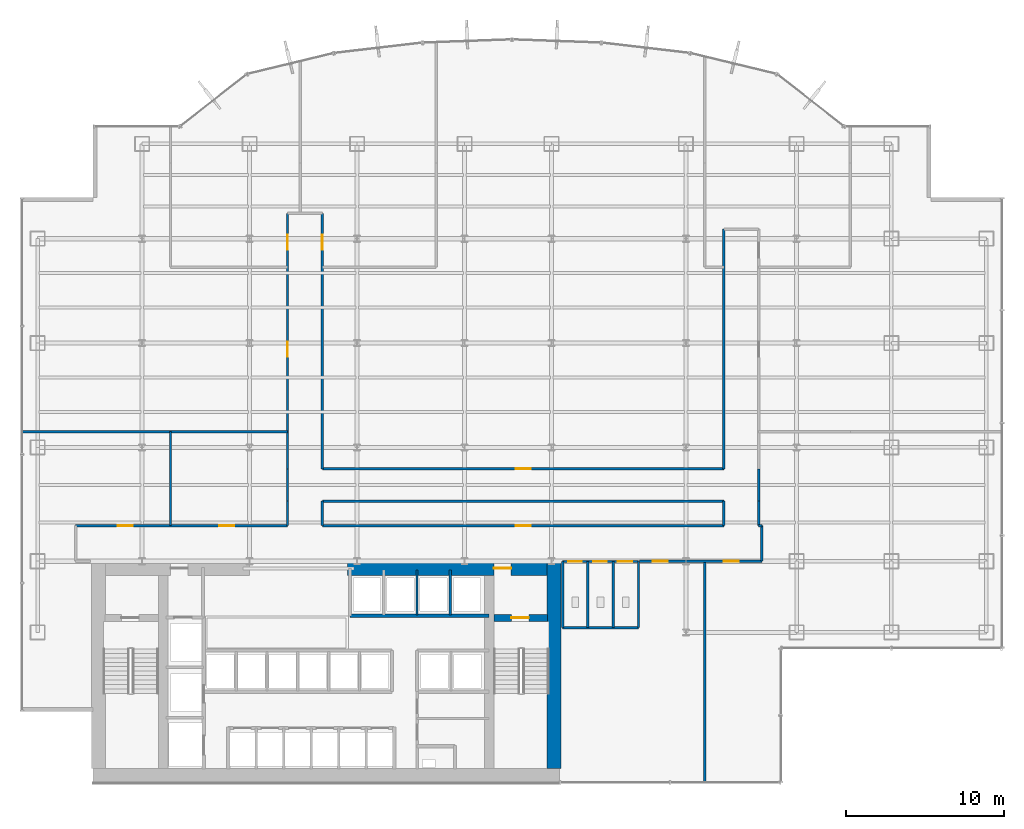
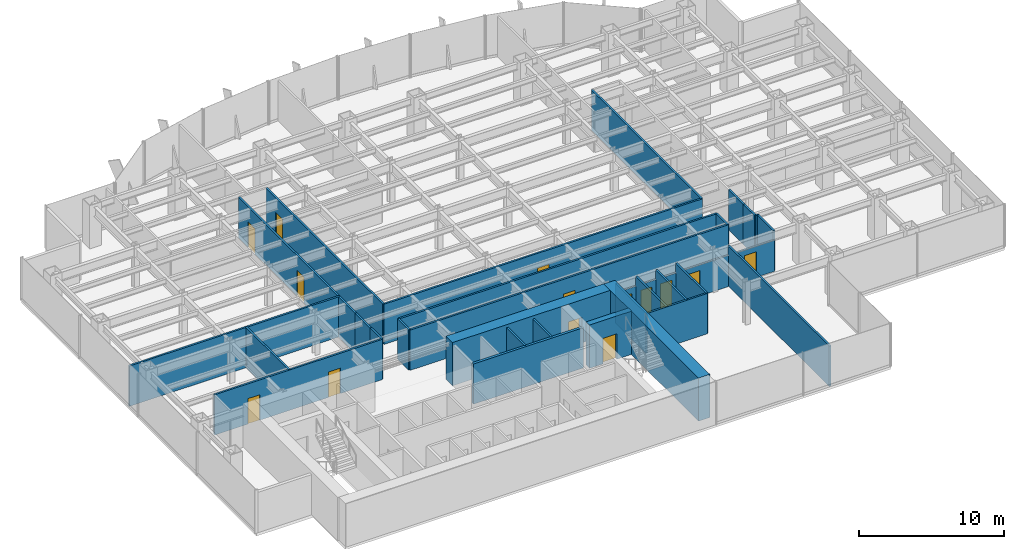
# One storey, part 18 of 22: 32 walls, 14 doors, 14 openings.
"""IFC4 building model written with IfcOpenShell, lengths in metres."""

from ifc_helpers import new_model, si_unit, derived_unit, direction, frame, frame_2d, origin, place, context, subcontext, project, spatial, rectangle, extrude, source, transform, mapped, material, layer, layer_set, type_object, element, fill, save


model = new_model("IFC4")

# Units and contexts
model_context = context("Model", 3, precision=1e-05, world=origin(), true_north=direction((0.0, 1.0)))
body_context = subcontext(model_context, "Body", "Model", "MODEL_VIEW")
ifc_project = project(units=[si_unit("LENGTHUNIT", "METRE"), si_unit("AREAUNIT", "SQUARE_METRE"), si_unit("VOLUMEUNIT", "CUBIC_METRE"), si_unit("PLANEANGLEUNIT", "RADIAN"), si_unit("MASSUNIT", "GRAM", prefix="KILO"), derived_unit("THERMALTRANSMITTANCEUNIT", [(si_unit("POWERUNIT", "WATT"), 1), (si_unit("LENGTHUNIT", "METRE"), -2), (si_unit("THERMODYNAMICTEMPERATUREUNIT", "KELVIN"), -1)])], contexts=[model_context])

# Site, building, storey
site_placement = place(None, origin())
site = spatial("IfcSite", under=ifc_project, at=site_placement, CompositionType="ELEMENT")
building_placement = place(site_placement, origin())
building = spatial("IfcBuilding", under=site, at=building_placement, Name="Skarnbrae Concourse Arena and Tower", CompositionType="ELEMENT")
storey_placement = place(building_placement, frame((0.0, 0.0, 39.800048828125)))
storey = spatial("IfcBuildingStorey", under=building, at=storey_placement, Name="L08", CompositionType="ELEMENT", Elevation=39.800048828125)

# Wall
ifc_material_1 = material(Name="Concrete 70 MPa (C70/85)", Category="concrete")
ifc_layer_1 = layer(ifc_material_1, 0.89990234375)
ifc_layer_set_1 = layer_set([ifc_layer_1], Name="Concrete 70 MPa (C70/85)")
wall_type_1 = type_object("IfcWallType", Name="WALL-CORE-900-C70", PredefinedType="SHEAR", material=ifc_layer_set_1)
shared_shape_1 = source(origin(), body_context, "Body", "SweptSolid", [
    extrude(rectangle(XDim=13.10009765625, YDim=0.89990234375, at=frame_2d((6.550048828125, 0.0))), origin(), (0.0, 0.0, 1.0), 3.64990234375),
])
wall_1_placement = place(storey_placement, frame((33.64990234375, 0.89990234375, 0.0), z_axis=(0.0, 0.0, 1.0), x_axis=(0.0, 1.0, 0.0)))
element("IfcWall", 1, at=wall_1_placement, inside=storey, type_object=wall_type_1, Name="L08 Rear core shear wall CW-E", PredefinedType="SHEAR", context=body_context, shape_type="MappedRepresentation", body=[
    mapped(shared_shape_1, transform((0.0, 0.0, 0.0))),
])

# Wall, opening, door
shared_shape_2 = source(origin(), body_context, "Body", "SweptSolid", [
    extrude(rectangle(XDim=12.599853515625, YDim=0.89990234375, at=frame_2d((6.2998046875, 0.0))), origin(), (0.0, 0.0, 1.0), 3.64990234375),
])
wall_2_placement = place(storey_placement, frame((20.60009765625, 13.550048828125, 0.0), z_axis=(0.0, 0.0, 1.0), x_axis=(1.0, 0.0, 0.0)))
wall_2 = element("IfcWall", 2, at=wall_2_placement, inside=storey, type_object=wall_type_1, Name="L08 Rear core shear wall CW-NE", PredefinedType="SHEAR", context=body_context, shape_type="MappedRepresentation", body=[
    mapped(shared_shape_2, transform((0.0, 0.0, 0.0))),
])
opening_1_placement = place(wall_2_placement, frame((9.25, 0.0, 0.0)))
opening_1 = element("IfcOpeningElement", 3, at=opening_1_placement, cuts=wall_2, Name="Opening DT-03", PredefinedType="OPENING", context=body_context, shape_type="SweptSolid", body=[
    extrude(rectangle(XDim=1.10009765625, YDim=2.14990234375, at=frame_2d((0.550048828125, 1.074951171875))), frame((0.0, 0.4599609375, 0.0), z_axis=(0.0, -1.0, 0.0), x_axis=(1.0, 0.0, 0.0)), (0.0, 0.0, 1.0), 0.919921875),
])
ifc_material_2 = material(Name="Steel CSA G40.21 350W", Category="steel")
door_type_1 = type_object("IfcDoorType", Name="DOOR-FIRE-1100-90M", OperationType="NOTDEFINED", PredefinedType="DOOR", material=ifc_material_2)
shared_shape_3 = source(origin(), body_context, "Body", "SweptSolid", [
    extrude(rectangle(XDim=1.10009765625, YDim=2.14990234375, at=frame_2d((0.550048828125, 1.074951171875))), frame((0.0, 0.02490234375, 0.0), z_axis=(0.0, -1.0, 0.0), x_axis=(1.0, 0.0, 0.0)), (0.0, 0.0, 1.0), 0.050048828125),
])
door_1_placement = place(opening_1_placement, origin())
door_1 = element("IfcDoor", 4, at=door_1_placement, inside=storey, type_object=door_type_1, Name="D-0387 Stair ST-2 Vestibule Door", OperationType="SINGLE_SWING_LEFT", OverallHeight=2.14990234375, OverallWidth=1.10009765625, PredefinedType="DOOR", context=body_context, shape_type="MappedRepresentation", body=[
    mapped(shared_shape_3, transform((0.0, 0.0, 0.0))),
])
fill(opening_1, door_1)

ifc_material_3 = material(Name="Concrete 50 MPa (C50/60)", Category="concrete")
ifc_layer_2 = layer(ifc_material_3, 0.449951171875)
ifc_layer_set_2 = layer_set([ifc_layer_2], Name="Concrete 50 MPa (C50/60)")
wall_type_2 = type_object("IfcWallType", Name="WALL-CORE-450-C50", PredefinedType="SHEAR", material=ifc_layer_set_2)
shared_shape_4 = source(origin(), body_context, "Body", "SweptSolid", [
    extrude(rectangle(XDim=3.389892578125, YDim=0.449951171875, at=frame_2d((1.69482421875, 0.0))), origin(), (0.0, 0.0, 1.0), 3.64990234375),
])
wall_3_placement = place(storey_placement, frame((29.860107421875, 10.419921875, 0.0), z_axis=(0.0, 0.0, 1.0), x_axis=(1.0, 0.0, 0.0)))
wall_3 = element("IfcWall", 5, at=wall_3_placement, inside=storey, type_object=wall_type_2, Name="L08 Rear core shear wall CW-ST2-N", PredefinedType="SHEAR", context=body_context, shape_type="MappedRepresentation", body=[
    mapped(shared_shape_4, transform((0.0, 0.0, 0.0))),
])
opening_2_placement = place(wall_3_placement, frame((1.10009765625, 0.0, 0.0)))
opening_2 = element("IfcOpeningElement", 6, at=opening_2_placement, cuts=wall_3, Name="Opening DT-03", PredefinedType="OPENING", context=body_context, shape_type="SweptSolid", body=[
    extrude(rectangle(XDim=1.10009765625, YDim=2.14990234375, at=frame_2d((0.550048828125, 1.074951171875))), frame((0.0, 0.23486328125, 0.0), z_axis=(0.0, -1.0, 0.0), x_axis=(1.0, 0.0, 0.0)), (0.0, 0.0, 1.0), 0.469970703125),
])
door_2_placement = place(opening_2_placement, frame((1.10009765625, 0.0, 0.0), z_axis=(0.0, 0.0, 1.0), x_axis=(-1.0, 0.0, 0.0)))
door_2 = element("IfcDoor", 7, at=door_2_placement, inside=storey, type_object=door_type_1, Name="D-0385 Stair ST-2 Door", OperationType="SINGLE_SWING_RIGHT", OverallHeight=2.14990234375, OverallWidth=1.10009765625, PredefinedType="DOOR", context=body_context, shape_type="MappedRepresentation", body=[
    mapped(shared_shape_3, transform((0.0, 0.0, 0.0))),
])
fill(opening_2, door_2)

# Walls
ifc_material_4 = material(Name="Gypsum board on cold-formed steel studs", Category="steel")
ifc_layer_3 = layer(ifc_material_4, 0.199951171875)
ifc_layer_set_3 = layer_set([ifc_layer_3], Name="Gypsum board on cold-formed steel studs")
wall_type_3 = type_object("IfcWallType", Name="WALL-PART-200-2HR", PredefinedType="PARTITIONING", material=ifc_layer_set_3)
shared_shape_5 = source(origin(), body_context, "Body", "SweptSolid", [
    extrude(rectangle(XDim=8.800048828125, YDim=0.199951171875, at=frame_2d((4.39990234375, 0.0))), origin(), (0.0, 0.0, 1.0), 3.39990234375),
])
wall_4_placement = place(storey_placement, frame((20.75, 10.550048828125, 0.0), z_axis=(0.0, 0.0, 1.0), x_axis=(1.0, 0.0, 0.0)))
element("IfcWall", 8, at=wall_4_placement, inside=storey, type_object=wall_type_3, Name="L08 Interior partition wall W-L08-B3N-S", PredefinedType="PARTITIONING", context=body_context, shape_type="MappedRepresentation", body=[
    mapped(shared_shape_5, transform((0.0, 0.0, 0.0))),
])
ifc_layer_4 = layer(ifc_material_4, 0.14990234375)
ifc_layer_set_4 = layer_set([ifc_layer_4], Name="Gypsum board on cold-formed steel studs")
wall_type_4 = type_object("IfcWallType", Name="WALL-PART-150", PredefinedType="PARTITIONING", material=ifc_layer_set_4)
shared_shape_6 = source(origin(), body_context, "Body", "SweptSolid", [
    extrude(rectangle(XDim=2.849853515625, YDim=0.14990234375, at=frame_2d((1.4248046875, 0.0))), origin(), (0.0, 0.0, 1.0), 3.39990234375),
])
for number, where, z_axis, x_axis, name in (
    (9, (24.989990234375, 10.60009765625, 0.0), (0.0, 0.0, 1.0), (0.0, 1.0, 0.0), "L08 Interior partition wall W-L08-B3N-P2"),
    (10, (27.090087890625, 10.60009765625, 0.0), (0.0, 0.0, 1.0), (0.0, 1.0, 0.0), "L08 Interior partition wall W-L08-B3N-P3"),
):
    element("IfcWall", number, at=place(storey_placement, frame(where, z_axis=z_axis, x_axis=x_axis)), inside=storey, type_object=wall_type_4, Name=name, PredefinedType="PARTITIONING", context=body_context, shape_type="MappedRepresentation", body=[
        mapped(shared_shape_6, transform((0.0, 0.0, 0.0))),
    ])

# Wall, openings, doors
shared_shape_7 = source(origin(), body_context, "Body", "SweptSolid", [
    extrude(rectangle(XDim=4.800048828125, YDim=0.14990234375, at=frame_2d((2.39990234375, 0.0))), origin(), (0.0, 0.0, 1.0), 2.625),
])
wall_5_placement = place(storey_placement, frame((34.199951171875, 13.97998046875, 0.0), z_axis=(0.0, 0.0, 1.0), x_axis=(1.0, 0.0, 0.0)))
wall_5 = element("IfcWall", 11, at=wall_5_placement, inside=storey, type_object=wall_type_4, Name="L08 Interior partition wall W-L08-WC-N", PredefinedType="PARTITIONING", context=body_context, shape_type="MappedRepresentation", body=[
    mapped(shared_shape_7, transform((0.0, 0.0, 0.0))),
])
opening_3_placement = place(wall_5_placement, frame((0.35009765625, 0.0, 0.0)))
opening_3 = element("IfcOpeningElement", 12, at=opening_3_placement, cuts=wall_5, Name="Opening DT-06", PredefinedType="OPENING", context=body_context, shape_type="SweptSolid", body=[
    extrude(rectangle(XDim=0.85009765625, YDim=2.10009765625, at=frame_2d((0.425048828125, 1.050048828125))), frame((0.0, 0.0849609375, 0.0), z_axis=(0.0, -1.0, 0.0), x_axis=(1.0, 0.0, 0.0)), (0.0, 0.0, 1.0), 0.169921875),
])
opening_4_placement = place(wall_5_placement, frame((1.949951171875, 0.0, 0.0)))
opening_4 = element("IfcOpeningElement", 13, at=opening_4_placement, cuts=wall_5, Name="Opening DT-06", PredefinedType="OPENING", context=body_context, shape_type="SweptSolid", body=[
    extrude(rectangle(XDim=0.85009765625, YDim=2.10009765625, at=frame_2d((0.425048828125, 1.050048828125))), frame((0.0, 0.0849609375, 0.0), z_axis=(0.0, -1.0, 0.0), x_axis=(1.0, 0.0, 0.0)), (0.0, 0.0, 1.0), 0.169921875),
])
opening_5_placement = place(wall_5_placement, frame((3.5, 0.0, 0.0)))
opening_5 = element("IfcOpeningElement", 14, at=opening_5_placement, cuts=wall_5, Name="Opening DT-05", PredefinedType="OPENING", context=body_context, shape_type="SweptSolid", body=[
    extrude(rectangle(XDim=0.89990234375, YDim=2.10009765625, at=frame_2d((0.449951171875, 1.050048828125))), frame((0.0, 0.0849609375, 0.0), z_axis=(0.0, -1.0, 0.0), x_axis=(1.0, 0.0, 0.0)), (0.0, 0.0, 1.0), 0.169921875),
])
ifc_material_5 = material(Name="Architectural oak veneer timber leaf", Category="wood")
door_type_2 = type_object("IfcDoorType", Name="DOOR-INT-850", OperationType="NOTDEFINED", PredefinedType="DOOR", material=ifc_material_5)
shared_shape_8 = source(origin(), body_context, "Body", "SweptSolid", [
    extrude(rectangle(XDim=0.85009765625, YDim=2.10009765625, at=frame_2d((0.425048828125, 1.050048828125))), frame((0.0, 0.02490234375, 0.0), z_axis=(0.0, -1.0, 0.0), x_axis=(1.0, 0.0, 0.0)), (0.0, 0.0, 1.0), 0.050048828125),
])
door_3_placement = place(opening_3_placement, frame((0.85009765625, 0.0, 0.0), z_axis=(0.0, 0.0, 1.0), x_axis=(-1.0, 0.0, 0.0)))
door_3 = element("IfcDoor", 15, at=door_3_placement, inside=storey, type_object=door_type_2, Name="D-0399 Male Washroom Door", OperationType="SINGLE_SWING_LEFT", OverallHeight=2.10009765625, OverallWidth=0.85009765625, PredefinedType="DOOR", context=body_context, shape_type="MappedRepresentation", body=[
    mapped(shared_shape_8, transform((0.0, 0.0, 0.0))),
])
fill(opening_3, door_3)
door_4_placement = place(opening_4_placement, frame((0.85009765625, 0.0, 0.0), z_axis=(0.0, 0.0, 1.0), x_axis=(-1.0, 0.0, 0.0)))
door_4 = element("IfcDoor", 16, at=door_4_placement, inside=storey, type_object=door_type_2, Name="D-0400 Female Washroom Door", OperationType="SINGLE_SWING_RIGHT", OverallHeight=2.10009765625, OverallWidth=0.85009765625, PredefinedType="DOOR", context=body_context, shape_type="MappedRepresentation", body=[
    mapped(shared_shape_8, transform((0.0, 0.0, 0.0))),
])
fill(opening_4, door_4)
door_type_3 = type_object("IfcDoorType", Name="DOOR-INT-900", OperationType="NOTDEFINED", PredefinedType="DOOR", material=ifc_material_5)
shared_shape_9 = source(origin(), body_context, "Body", "SweptSolid", [
    extrude(rectangle(XDim=0.89990234375, YDim=2.10009765625, at=frame_2d((0.449951171875, 1.050048828125))), frame((0.0, 0.02490234375, 0.0), z_axis=(0.0, -1.0, 0.0), x_axis=(1.0, 0.0, 0.0)), (0.0, 0.0, 1.0), 0.050048828125),
])
door_5_placement = place(opening_5_placement, frame((0.89990234375, 0.0, 0.0), z_axis=(0.0, 0.0, 1.0), x_axis=(-1.0, 0.0, 0.0)))
door_5 = element("IfcDoor", 17, at=door_5_placement, inside=storey, type_object=door_type_3, Name="D-0401 Accessible WC Door", OperationType="SINGLE_SWING_LEFT", OverallHeight=2.10009765625, OverallWidth=0.89990234375, PredefinedType="DOOR", context=body_context, shape_type="MappedRepresentation", body=[
    mapped(shared_shape_9, transform((0.0, 0.0, 0.0))),
])
fill(opening_5, door_5)

# Walls
shared_shape_10 = source(origin(), body_context, "Body", "SweptSolid", [
    extrude(rectangle(XDim=4.800048828125, YDim=0.14990234375, at=frame_2d((2.39990234375, 0.0))), origin(), (0.0, 0.0, 1.0), 3.39990234375),
])
wall_6_placement = place(storey_placement, frame((34.199951171875, 9.800048828125, 0.0), z_axis=(0.0, 0.0, 1.0), x_axis=(1.0, 0.0, 0.0)))
element("IfcWall", 18, at=wall_6_placement, inside=storey, type_object=wall_type_4, Name="L08 Interior partition wall W-L08-WC-S", PredefinedType="PARTITIONING", context=body_context, shape_type="MappedRepresentation", body=[
    mapped(shared_shape_10, transform((0.0, 0.0, 0.0))),
])
shared_shape_11 = source(origin(), body_context, "Body", "SweptSolid", [
    extrude(rectangle(XDim=4.179931640625, YDim=0.14990234375, at=frame_2d((2.08984375, 0.0))), origin(), (0.0, 0.0, 1.0), 3.39990234375),
])
for number, where, z_axis, x_axis, name in (
    (19, (39.0, 9.800048828125, 0.0), (0.0, 0.0, 1.0), (0.0, 1.0, 0.0), "L08 Interior partition wall W-L08-WC-E"),
    (20, (34.199951171875, 9.800048828125, 0.0), (0.0, 0.0, 1.0), (0.0, 1.0, 0.0), "L08 Interior partition wall W-L08-WC-W"),
    (21, (35.800048828125, 9.800048828125, 0.0), (0.0, 0.0, 1.0), (0.0, 1.0, 0.0), "L08 Interior partition wall W-L08-WC-D1"),
    (22, (37.39990234375, 9.800048828125, 0.0), (0.0, 0.0, 1.0), (0.0, 1.0, 0.0), "L08 Interior partition wall W-L08-WC-D2"),
):
    element("IfcWall", number, at=place(storey_placement, frame(where, z_axis=z_axis, x_axis=x_axis)), inside=storey, type_object=wall_type_4, Name=name, PredefinedType="PARTITIONING", context=body_context, shape_type="MappedRepresentation", body=[
        mapped(shared_shape_11, transform((0.0, 0.0, 0.0))),
    ])
ifc_layer_5 = layer(ifc_material_4, 0.14990234375)
ifc_layer_set_5 = layer_set([ifc_layer_5], Name="Gypsum board on cold-formed steel studs")
wall_type_5 = type_object("IfcWallType", Name="WALL-PART-150-1HR", PredefinedType="PARTITIONING", material=ifc_layer_set_5)
shared_shape_12 = source(origin(), body_context, "Body", "SweptSolid", [
    extrude(rectangle(XDim=2.25, YDim=0.14990234375, at=frame_2d((1.125, 0.0))), origin(), (0.0, 0.0, 1.0), 3.39990234375),
])
wall_7_placement = place(storey_placement, frame((46.800048828125, 16.25, 0.0), z_axis=(0.0, 0.0, 1.0), x_axis=(0.0, -1.0, 0.0)))
element("IfcWall", 23, at=wall_7_placement, inside=storey, type_object=wall_type_5, Name="L08 Interior partition wall W-L08-COR-16", PredefinedType="PARTITIONING", context=body_context, shape_type="MappedRepresentation", body=[
    mapped(shared_shape_12, transform((0.0, 0.0, 0.0))),
])
shared_shape_13 = source(origin(), body_context, "Body", "SweptSolid", [
    extrude(rectangle(XDim=2.050048828125, YDim=0.14990234375, at=frame_2d((1.02490234375, 0.0))), origin(), (0.0, 0.0, 1.0), 3.39990234375),
])
for number, where, z_axis, x_axis, name in (
    (24, (16.800048828125, 17.800048828125, 0.0), (0.0, 0.0, 1.0), (0.0, 1.0, 0.0), "L08 Interior partition wall W-L08-COR-05"),
    (25, (46.60009765625, 19.85009765625, 0.0), (0.0, 0.0, 1.0), (0.0, -1.0, 0.0), "L08 Interior partition wall W-L08-COR-13"),
):
    element("IfcWall", number, at=place(storey_placement, frame(where, z_axis=z_axis, x_axis=x_axis)), inside=storey, type_object=wall_type_5, Name=name, PredefinedType="PARTITIONING", context=body_context, shape_type="MappedRepresentation", body=[
        mapped(shared_shape_13, transform((0.0, 0.0, 0.0))),
    ])
shared_shape_14 = source(origin(), body_context, "Body", "SweptSolid", [
    extrude(rectangle(XDim=0.199951171875, YDim=0.14990234375, at=frame_2d((0.10009765625, 0.0))), origin(), (0.0, 0.0, 1.0), 3.39990234375),
])
wall_8_placement = place(storey_placement, frame((46.60009765625, 16.25, 0.0), z_axis=(0.0, 0.0, 1.0), x_axis=(1.0, 0.0, 0.0)))
element("IfcWall", 26, at=wall_8_placement, inside=storey, type_object=wall_type_5, Name="L08 Interior partition wall W-L08-COR-15", PredefinedType="PARTITIONING", context=body_context, shape_type="MappedRepresentation", body=[
    mapped(shared_shape_14, transform((0.0, 0.0, 0.0))),
])

# Wall, openings, doors
shared_shape_15 = source(origin(), body_context, "Body", "SweptSolid", [
    extrude(rectangle(XDim=7.75, YDim=0.14990234375, at=frame_2d((3.875, 0.0))), origin(), (0.0, 0.0, 1.0), 2.625),
])
wall_9_placement = place(storey_placement, frame((46.800048828125, 14.0, 0.0), z_axis=(0.0, 0.0, 1.0), x_axis=(-1.0, 0.0, 0.0)))
wall_9 = element("IfcWall", 27, at=wall_9_placement, inside=storey, type_object=wall_type_5, Name="L08 Interior partition wall W-L08-COR-17", PredefinedType="PARTITIONING", context=body_context, shape_type="MappedRepresentation", body=[
    mapped(shared_shape_15, transform((0.0, 0.0, 0.0))),
])
opening_6_placement = place(wall_9_placement, frame((5.9599609375, 0.0, 0.0)))
opening_6 = element("IfcOpeningElement", 28, at=opening_6_placement, cuts=wall_9, Name="Opening DT-04", PredefinedType="OPENING", context=body_context, shape_type="SweptSolid", body=[
    extrude(rectangle(XDim=0.949951171875, YDim=2.14990234375, at=frame_2d((0.47509765625, 1.074951171875))), frame((0.0, 0.0849609375, 0.0), z_axis=(0.0, -1.0, 0.0), x_axis=(1.0, 0.0, 0.0)), (0.0, 0.0, 1.0), 0.169921875),
])
opening_7_placement = place(wall_9_placement, frame((1.455078125, 0.0, 0.0)))
opening_7 = element("IfcOpeningElement", 29, at=opening_7_placement, cuts=wall_9, Name="Opening DT-04", PredefinedType="OPENING", context=body_context, shape_type="SweptSolid", body=[
    extrude(rectangle(XDim=0.949951171875, YDim=2.14990234375, at=frame_2d((0.47509765625, 1.074951171875))), frame((0.0, 0.0849609375, 0.0), z_axis=(0.0, -1.0, 0.0), x_axis=(1.0, 0.0, 0.0)), (0.0, 0.0, 1.0), 0.169921875),
])
door_type_4 = type_object("IfcDoorType", Name="DOOR-INT-950-45M", OperationType="NOTDEFINED", PredefinedType="DOOR", material=ifc_material_2)
shared_shape_16 = source(origin(), body_context, "Body", "SweptSolid", [
    extrude(rectangle(XDim=0.949951171875, YDim=2.14990234375, at=frame_2d((0.47509765625, 1.074951171875))), frame((0.0, 0.02490234375, 0.0), z_axis=(0.0, -1.0, 0.0), x_axis=(1.0, 0.0, 0.0)), (0.0, 0.0, 1.0), 0.050048828125),
])
door_6_placement = place(opening_6_placement, origin())
door_6 = element("IfcDoor", 30, at=door_6_placement, inside=storey, type_object=door_type_4, Name="D-0409 L08 Suite Door 08", OperationType="SINGLE_SWING_LEFT", OverallHeight=2.14990234375, OverallWidth=0.949951171875, PredefinedType="DOOR", context=body_context, shape_type="MappedRepresentation", body=[
    mapped(shared_shape_16, transform((0.0, 0.0, 0.0))),
])
fill(opening_6, door_6)
door_7_placement = place(opening_7_placement, origin())
door_7 = element("IfcDoor", 31, at=door_7_placement, inside=storey, type_object=door_type_4, Name="D-0411 L08 Suite Door 10", OperationType="SINGLE_SWING_LEFT", OverallHeight=2.14990234375, OverallWidth=0.949951171875, PredefinedType="DOOR", context=body_context, shape_type="MappedRepresentation", body=[
    mapped(shared_shape_16, transform((0.0, 0.0, 0.0))),
])
fill(opening_7, door_7)

shared_shape_17 = source(origin(), body_context, "Body", "SweptSolid", [
    extrude(rectangle(XDim=13.400146484375, YDim=0.14990234375, at=frame_2d((6.7001953125, 0.0))), origin(), (0.0, 0.0, 1.0), 3.39990234375),
])
wall_10_placement = place(storey_placement, frame((3.39990234375, 16.25, 0.0), z_axis=(0.0, 0.0, 1.0), x_axis=(1.0, 0.0, 0.0)))
wall_10 = element("IfcWall", 32, at=wall_10_placement, inside=storey, type_object=wall_type_5, Name="L08 Interior partition wall W-L08-COR-03", PredefinedType="PARTITIONING", context=body_context, shape_type="MappedRepresentation", body=[
    mapped(shared_shape_17, transform((0.0, 0.0, 0.0))),
])
opening_8_placement = place(wall_10_placement, frame((2.655029296875, 0.0, 0.0)))
opening_8 = element("IfcOpeningElement", 33, at=opening_8_placement, cuts=wall_10, Name="Opening DT-04", PredefinedType="OPENING", context=body_context, shape_type="SweptSolid", body=[
    extrude(rectangle(XDim=0.949951171875, YDim=2.14990234375, at=frame_2d((0.47509765625, 1.074951171875))), frame((0.0, 0.0849609375, 0.0), z_axis=(0.0, -1.0, 0.0), x_axis=(1.0, 0.0, 0.0)), (0.0, 0.0, 1.0), 0.169921875),
])
opening_9_placement = place(wall_10_placement, frame((9.094970703125, 0.0, 0.0)))
opening_9 = element("IfcOpeningElement", 34, at=opening_9_placement, cuts=wall_10, Name="Opening DT-04", PredefinedType="OPENING", context=body_context, shape_type="SweptSolid", body=[
    extrude(rectangle(XDim=0.949951171875, YDim=2.14990234375, at=frame_2d((0.47509765625, 1.074951171875))), frame((0.0, 0.0849609375, 0.0), z_axis=(0.0, -1.0, 0.0), x_axis=(1.0, 0.0, 0.0)), (0.0, 0.0, 1.0), 0.169921875),
])
door_8_placement = place(opening_8_placement, origin())
door_8 = element("IfcDoor", 35, at=door_8_placement, inside=storey, type_object=door_type_4, Name="D-0402 L08 Suite Door 01", OperationType="SINGLE_SWING_RIGHT", OverallHeight=2.14990234375, OverallWidth=0.949951171875, PredefinedType="DOOR", context=body_context, shape_type="MappedRepresentation", body=[
    mapped(shared_shape_16, transform((0.0, 0.0, 0.0))),
])
fill(opening_8, door_8)
door_9_placement = place(opening_9_placement, origin())
door_9 = element("IfcDoor", 36, at=door_9_placement, inside=storey, type_object=door_type_4, Name="D-0404 L08 Suite Door 03", OperationType="SINGLE_SWING_RIGHT", OverallHeight=2.14990234375, OverallWidth=0.949951171875, PredefinedType="DOOR", context=body_context, shape_type="MappedRepresentation", body=[
    mapped(shared_shape_16, transform((0.0, 0.0, 0.0))),
])
fill(opening_9, door_9)

# Walls
shared_shape_18 = source(origin(), body_context, "Body", "SweptSolid", [
    extrude(rectangle(XDim=1.550048828125, YDim=0.14990234375, at=frame_2d((0.77490234375, 0.0))), origin(), (0.0, 0.0, 1.0), 3.39990234375),
])
for number, where, z_axis, x_axis, name in (
    (37, (16.800048828125, 16.25, 0.0), (0.0, 0.0, 1.0), (0.0, 1.0, 0.0), "L08 Interior partition wall W-L08-COR-04"),
    (38, (46.60009765625, 17.800048828125, 0.0), (0.0, 0.0, 1.0), (0.0, -1.0, 0.0), "L08 Interior partition wall W-L08-COR-14"),
    (39, (44.39990234375, 16.25, 0.0), (0.0, 0.0, 1.0), (0.0, 1.0, 0.0), "L08 Interior partition wall W-L08-COR-19"),
    (40, (19.0, 17.800048828125, 0.0), (0.0, 0.0, 1.0), (0.0, -1.0, 0.0), "L08 Interior partition wall W-L08-COR-21"),
):
    element("IfcWall", number, at=place(storey_placement, frame(where, z_axis=z_axis, x_axis=x_axis)), inside=storey, type_object=wall_type_5, Name=name, PredefinedType="PARTITIONING", context=body_context, shape_type="MappedRepresentation", body=[
        mapped(shared_shape_18, transform((0.0, 0.0, 0.0))),
    ])

# Wall, openings, doors
shared_shape_19 = source(origin(), body_context, "Body", "SweptSolid", [
    extrude(rectangle(XDim=16.14990234375, YDim=0.14990234375, at=frame_2d((8.074951171875, 0.0))), origin(), (0.0, 0.0, 1.0), 3.39990234375),
])
wall_11_placement = place(storey_placement, frame((16.800048828125, 19.85009765625, 0.0), z_axis=(0.0, 0.0, 1.0), x_axis=(0.0, 1.0, 0.0)))
wall_11 = element("IfcWall", 41, at=wall_11_placement, inside=storey, type_object=wall_type_5, Name="L08 Interior partition wall W-L08-COR-06", PredefinedType="PARTITIONING", context=body_context, shape_type="MappedRepresentation", body=[
    mapped(shared_shape_19, transform((0.0, 0.0, 0.0))),
])
opening_10_placement = place(wall_11_placement, frame((7.074951171875, 0.0, 0.0)))
opening_10 = element("IfcOpeningElement", 42, at=opening_10_placement, cuts=wall_11, Name="Opening DT-04", PredefinedType="OPENING", context=body_context, shape_type="SweptSolid", body=[
    extrude(rectangle(XDim=0.949951171875, YDim=2.14990234375, at=frame_2d((0.47509765625, 1.074951171875))), frame((0.0, 0.0849609375, 0.0), z_axis=(0.0, -1.0, 0.0), x_axis=(1.0, 0.0, 0.0)), (0.0, 0.0, 1.0), 0.169921875),
])
opening_11_placement = place(wall_11_placement, frame((13.844970703125, 0.0, 0.0)))
opening_11 = element("IfcOpeningElement", 43, at=opening_11_placement, cuts=wall_11, Name="Opening DT-04", PredefinedType="OPENING", context=body_context, shape_type="SweptSolid", body=[
    extrude(rectangle(XDim=0.949951171875, YDim=2.14990234375, at=frame_2d((0.47509765625, 1.074951171875))), frame((0.0, 0.0849609375, 0.0), z_axis=(0.0, -1.0, 0.0), x_axis=(1.0, 0.0, 0.0)), (0.0, 0.0, 1.0), 0.169921875),
])
door_10_placement = place(opening_10_placement, origin())
door_10 = element("IfcDoor", 44, at=door_10_placement, inside=storey, type_object=door_type_4, Name="D-0403 L08 Suite Door 02", OperationType="SINGLE_SWING_LEFT", OverallHeight=2.14990234375, OverallWidth=0.949951171875, PredefinedType="DOOR", context=body_context, shape_type="MappedRepresentation", body=[
    mapped(shared_shape_16, transform((0.0, 0.0, 0.0))),
])
fill(opening_10, door_10)
door_11_placement = place(opening_11_placement, origin())
door_11 = element("IfcDoor", 45, at=door_11_placement, inside=storey, type_object=door_type_4, Name="D-0405 L08 Suite Door 04", OperationType="SINGLE_SWING_LEFT", OverallHeight=2.14990234375, OverallWidth=0.949951171875, PredefinedType="DOOR", context=body_context, shape_type="MappedRepresentation", body=[
    mapped(shared_shape_16, transform((0.0, 0.0, 0.0))),
])
fill(opening_11, door_11)

# Wall, opening, door
wall_12_placement = place(storey_placement, frame((19.0, 36.0, 0.0), z_axis=(0.0, 0.0, 1.0), x_axis=(0.0, -1.0, 0.0)))
wall_12 = element("IfcWall", 46, at=wall_12_placement, inside=storey, type_object=wall_type_5, Name="L08 Interior partition wall W-L08-COR-08", PredefinedType="PARTITIONING", context=body_context, shape_type="MappedRepresentation", body=[
    mapped(shared_shape_19, transform((0.0, 0.0, 0.0))),
])
opening_12_placement = place(wall_12_placement, frame((1.35498046875, 0.0, 0.0)))
opening_12 = element("IfcOpeningElement", 47, at=opening_12_placement, cuts=wall_12, Name="Opening DT-04", PredefinedType="OPENING", context=body_context, shape_type="SweptSolid", body=[
    extrude(rectangle(XDim=0.949951171875, YDim=2.14990234375, at=frame_2d((0.47509765625, 1.074951171875))), frame((0.0, 0.0849609375, 0.0), z_axis=(0.0, -1.0, 0.0), x_axis=(1.0, 0.0, 0.0)), (0.0, 0.0, 1.0), 0.169921875),
])
door_12_placement = place(opening_12_placement, origin())
door_12 = element("IfcDoor", 48, at=door_12_placement, inside=storey, type_object=door_type_4, Name="D-0406 L08 Suite Door 05", OperationType="SINGLE_SWING_RIGHT", OverallHeight=2.14990234375, OverallWidth=0.949951171875, PredefinedType="DOOR", context=body_context, shape_type="MappedRepresentation", body=[
    mapped(shared_shape_16, transform((0.0, 0.0, 0.0))),
])
fill(opening_12, door_12)

shared_shape_20 = source(origin(), body_context, "Body", "SweptSolid", [
    extrude(rectangle(XDim=25.39990234375, YDim=0.14990234375, at=frame_2d((12.699951171875, 0.0))), origin(), (0.0, 0.0, 1.0), 3.39990234375),
])
wall_13_placement = place(storey_placement, frame((19.0, 19.85009765625, 0.0), z_axis=(0.0, 0.0, 1.0), x_axis=(1.0, 0.0, 0.0)))
wall_13 = element("IfcWall", 49, at=wall_13_placement, inside=storey, type_object=wall_type_5, Name="L08 Interior partition wall W-L08-COR-09", PredefinedType="PARTITIONING", context=body_context, shape_type="MappedRepresentation", body=[
    mapped(shared_shape_20, transform((0.0, 0.0, 0.0))),
])
opening_13_placement = place(wall_13_placement, frame((12.22509765625, 0.0, 0.0)))
opening_13 = element("IfcOpeningElement", 50, at=opening_13_placement, cuts=wall_13, Name="Opening DT-04", PredefinedType="OPENING", context=body_context, shape_type="SweptSolid", body=[
    extrude(rectangle(XDim=0.949951171875, YDim=2.14990234375, at=frame_2d((0.47509765625, 1.074951171875))), frame((0.0, 0.0849609375, 0.0), z_axis=(0.0, -1.0, 0.0), x_axis=(1.0, 0.0, 0.0)), (0.0, 0.0, 1.0), 0.169921875),
])
door_13_placement = place(opening_13_placement, origin())
door_13 = element("IfcDoor", 51, at=door_13_placement, inside=storey, type_object=door_type_4, Name="D-0408 L08 Suite Door 07", OperationType="SINGLE_SWING_RIGHT", OverallHeight=2.14990234375, OverallWidth=0.949951171875, PredefinedType="DOOR", context=body_context, shape_type="MappedRepresentation", body=[
    mapped(shared_shape_16, transform((0.0, 0.0, 0.0))),
])
fill(opening_13, door_13)

wall_14_placement = place(storey_placement, frame((19.0, 16.25, 0.0), z_axis=(0.0, 0.0, 1.0), x_axis=(1.0, 0.0, 0.0)))
wall_14 = element("IfcWall", 52, at=wall_14_placement, inside=storey, type_object=wall_type_5, Name="L08 Interior partition wall W-L08-COR-18", PredefinedType="PARTITIONING", context=body_context, shape_type="MappedRepresentation", body=[
    mapped(shared_shape_20, transform((0.0, 0.0, 0.0))),
])
opening_14_placement = place(wall_14_placement, frame((12.22509765625, 0.0, 0.0)))
opening_14 = element("IfcOpeningElement", 53, at=opening_14_placement, cuts=wall_14, Name="Opening DT-04", PredefinedType="OPENING", context=body_context, shape_type="SweptSolid", body=[
    extrude(rectangle(XDim=0.949951171875, YDim=2.14990234375, at=frame_2d((0.47509765625, 1.074951171875))), frame((0.0, 0.0849609375, 0.0), z_axis=(0.0, -1.0, 0.0), x_axis=(1.0, 0.0, 0.0)), (0.0, 0.0, 1.0), 0.169921875),
])
door_14_placement = place(opening_14_placement, origin())
door_14 = element("IfcDoor", 54, at=door_14_placement, inside=storey, type_object=door_type_4, Name="D-0407 L08 Suite Door 06", OperationType="SINGLE_SWING_LEFT", OverallHeight=2.14990234375, OverallWidth=0.949951171875, PredefinedType="DOOR", context=body_context, shape_type="MappedRepresentation", body=[
    mapped(shared_shape_16, transform((0.0, 0.0, 0.0))),
])
fill(opening_14, door_14)

# Walls
wall_15_placement = place(storey_placement, frame((44.39990234375, 17.800048828125, 0.0), z_axis=(0.0, 0.0, 1.0), x_axis=(-1.0, 0.0, 0.0)))
element("IfcWall", 55, at=wall_15_placement, inside=storey, type_object=wall_type_5, Name="L08 Interior partition wall W-L08-COR-20", PredefinedType="PARTITIONING", context=body_context, shape_type="MappedRepresentation", body=[
    mapped(shared_shape_20, transform((0.0, 0.0, 0.0))),
])
shared_shape_21 = source(origin(), body_context, "Body", "SweptSolid", [
    extrude(rectangle(XDim=15.14990234375, YDim=0.14990234375, at=frame_2d((7.574951171875, 0.0))), origin(), (0.0, 0.0, 1.0), 3.39990234375),
])
wall_16_placement = place(storey_placement, frame((44.39990234375, 19.85009765625, 0.0), z_axis=(0.0, 0.0, 1.0), x_axis=(0.0, 1.0, 0.0)))
element("IfcWall", 56, at=wall_16_placement, inside=storey, type_object=wall_type_5, Name="L08 Interior partition wall W-L08-COR-10", PredefinedType="PARTITIONING", context=body_context, shape_type="MappedRepresentation", body=[
    mapped(shared_shape_21, transform((0.0, 0.0, 0.0))),
])
shared_shape_22 = source(origin(), body_context, "Body", "SweptSolid", [
    extrude(rectangle(XDim=9.3798828125, YDim=0.14990234375, at=frame_2d((4.68994140625, 0.0))), origin(), (0.0, 0.0, 1.0), 3.39990234375),
])
wall_17_placement = place(storey_placement, frame((0.02001953125, 22.199951171875, 0.0), z_axis=(0.0, 0.0, 1.0), x_axis=(1.0, 0.0, 0.0)))
element("IfcWall", 57, at=wall_17_placement, inside=storey, type_object=wall_type_4, Name="L08 Interior partition wall W-L08-DEM-22", PredefinedType="PARTITIONING", context=body_context, shape_type="MappedRepresentation", body=[
    mapped(shared_shape_22, transform((0.0, 0.0, 0.0))),
])
shared_shape_23 = source(origin(), body_context, "Body", "SweptSolid", [
    extrude(rectangle(XDim=5.949951171875, YDim=0.14990234375, at=frame_2d((2.97509765625, 0.0))), origin(), (0.0, 0.0, 1.0), 3.39990234375),
])
wall_18_placement = place(storey_placement, frame((9.39990234375, 22.199951171875, 0.0), z_axis=(0.0, 0.0, 1.0), x_axis=(0.0, -1.0, 0.0)))
element("IfcWall", 58, at=wall_18_placement, inside=storey, type_object=wall_type_4, Name="L08 Interior partition wall W-L08-DEM-23", PredefinedType="PARTITIONING", context=body_context, shape_type="MappedRepresentation", body=[
    mapped(shared_shape_23, transform((0.0, 0.0, 0.0))),
])
shared_shape_24 = source(origin(), body_context, "Body", "SweptSolid", [
    extrude(rectangle(XDim=7.400146484375, YDim=0.14990234375, at=frame_2d((3.7001953125, 0.0))), origin(), (0.0, 0.0, 1.0), 3.39990234375),
])
wall_19_placement = place(storey_placement, frame((16.800048828125, 22.199951171875, 0.0), z_axis=(0.0, 0.0, 1.0), x_axis=(-1.0, 0.0, 0.0)))
element("IfcWall", 59, at=wall_19_placement, inside=storey, type_object=wall_type_4, Name="L08 Interior partition wall W-L08-DEM-24", PredefinedType="PARTITIONING", context=body_context, shape_type="MappedRepresentation", body=[
    mapped(shared_shape_24, transform((0.0, 0.0, 0.0))),
])
shared_shape_25 = source(origin(), body_context, "Body", "SweptSolid", [
    extrude(rectangle(XDim=13.97998046875, YDim=0.14990234375, at=frame_2d((6.989990234375, 0.0))), origin(), (0.0, 0.0, 1.0), 3.39990234375),
])
wall_20_placement = place(storey_placement, frame((43.199951171875, 14.0, 0.0), z_axis=(0.0, 0.0, 1.0), x_axis=(0.0, -1.0, 0.0)))
element("IfcWall", 60, at=wall_20_placement, inside=storey, type_object=wall_type_4, Name="L08 Interior partition wall W-L08-DEM-33", PredefinedType="PARTITIONING", context=body_context, shape_type="MappedRepresentation", body=[
    mapped(shared_shape_25, transform((0.0, 0.0, 0.0))),
])

save(model, "model.ifc")
